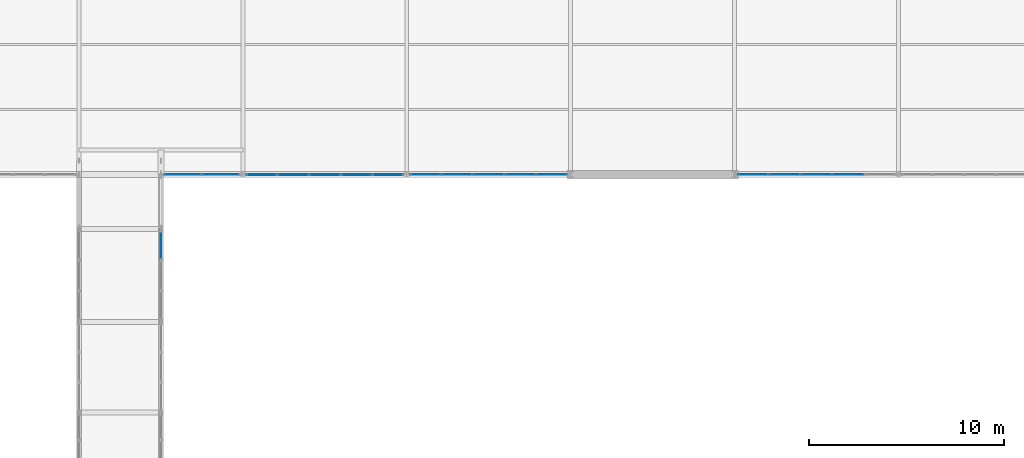
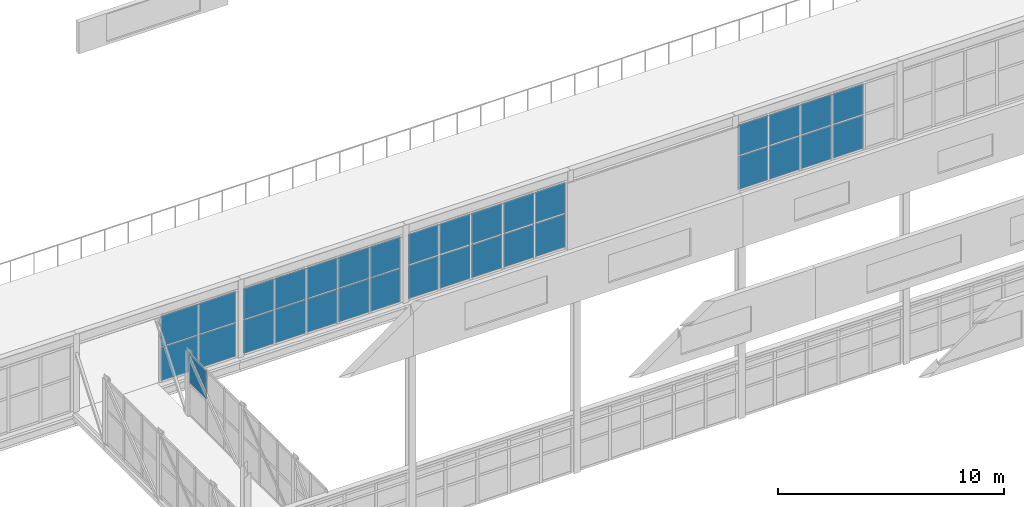
# One storey, part 184 of 218: 33 plates, 5 elements without a shape of their own.
"""IFC4 building model written with IfcOpenShell, lengths in metres."""

from ifc_helpers import new_model, si_unit, direction, frame, origin, origin_2d, place, context, subcontext, project, spatial, rectangle, extrude, material, layer, layer_set, type_object, element, aggregate, save


model = new_model("IFC4")

# Units and contexts
model_context = context("Model", 3, precision=1e-05, world=origin(), true_north=direction((0.0, 1.0)))
body_context = subcontext(model_context, "Body", "Model", "MODEL_VIEW")
ifc_project = project(units=[si_unit("LENGTHUNIT", "METRE"), si_unit("AREAUNIT", "SQUARE_METRE"), si_unit("VOLUMEUNIT", "CUBIC_METRE"), si_unit("PLANEANGLEUNIT", "RADIAN"), si_unit("MASSUNIT", "GRAM", prefix="KILO")], contexts=[model_context])

# Site, building, storey
site_placement = place(None, origin())
site = spatial("IfcSite", under=ifc_project, at=site_placement, CompositionType="ELEMENT")
building_placement = place(site_placement, origin())
building = spatial("IfcBuilding", under=site, at=building_placement, Name="Kazenagashi Tramway Depot", CompositionType="ELEMENT")
storey_placement = place(building_placement, frame((0.0, 0.0, 6.0)))
storey = spatial("IfcBuildingStorey", under=building, at=storey_placement, Name="L02", CompositionType="ELEMENT", Elevation=6.0)

# Curtain wall, plates
ifc_material_1 = material(Name="Anodised Aluminium and Low-E Glazing", Category="aluminium")
curtain_wall_type_1 = type_object("IfcCurtainWallType", Name="CW-11", PredefinedType="USERDEFINED", material=ifc_material_1)
curtain_wall_1_placement = place(storey_placement, origin())
curtain_wall_1 = element("IfcCurtainWall", 1, at=curtain_wall_1_placement, inside=storey, type_object=curtain_wall_type_1, Name="Industrial Glazed Screen CW-11 CW-0033", ObjectType="GLAZED SCREEN", PredefinedType="USERDEFINED")
ifc_material_2 = material(Name="Tempered Laminated Low-E Glass", Category="glass")
ifc_layer_1 = layer(ifc_material_2, 0.016)
ifc_layer_set_1 = layer_set([ifc_layer_1], Name="Tempered Laminated Low-E Glass")
plate_type_1 = type_object("IfcPlateType", Name="GL-01", PredefinedType="CURTAIN_PANEL", material=ifc_layer_set_1)
plate_1_placement = place(storey_placement, frame((104.567, 70.0, 0.06), z_axis=(0.0, 0.0, 1.0), x_axis=(1.0, 0.0, 0.0)))
plate_1 = element("IfcPlate", 2, at=plate_1_placement, type_object=plate_type_1, Name="CW-11 panel 1.1", PredefinedType="CURTAIN_PANEL", context=body_context, shape_type="SweptSolid", body=[
    extrude(rectangle(XDim=1.534, YDim=0.016, at=origin_2d()), origin(), (0.0, 0.0, 1.0), 1.788),
])
plate_2_placement = place(storey_placement, frame((104.567, 70.0, 1.908), z_axis=(0.0, 0.0, 1.0), x_axis=(1.0, 0.0, 0.0)))
plate_2 = element("IfcPlate", 3, at=plate_2_placement, type_object=plate_type_1, Name="CW-11 panel 1.2", PredefinedType="CURTAIN_PANEL", context=body_context, shape_type="SweptSolid", body=[
    extrude(rectangle(XDim=1.534, YDim=0.016, at=origin_2d()), origin(), (0.0, 0.0, 1.0), 1.644),
])
plate_3_placement = place(storey_placement, frame((106.176, 70.0, 0.06), z_axis=(0.0, 0.0, 1.0), x_axis=(1.0, 0.0, 0.0)))
plate_3 = element("IfcPlate", 4, at=plate_3_placement, type_object=plate_type_1, Name="CW-11 panel 2.1", PredefinedType="CURTAIN_PANEL", context=body_context, shape_type="SweptSolid", body=[
    extrude(rectangle(XDim=1.564, YDim=0.016, at=origin_2d()), origin(), (0.0, 0.0, 1.0), 1.788),
])
plate_4_placement = place(storey_placement, frame((106.176, 70.0, 1.908), z_axis=(0.0, 0.0, 1.0), x_axis=(1.0, 0.0, 0.0)))
plate_4 = element("IfcPlate", 5, at=plate_4_placement, type_object=plate_type_1, Name="CW-11 panel 2.2", PredefinedType="CURTAIN_PANEL", context=body_context, shape_type="SweptSolid", body=[
    extrude(rectangle(XDim=1.564, YDim=0.016, at=origin_2d()), origin(), (0.0, 0.0, 1.0), 1.644),
])
plate_5_placement = place(storey_placement, frame((107.8, 70.0, 0.06), z_axis=(0.0, 0.0, 1.0), x_axis=(1.0, 0.0, 0.0)))
plate_5 = element("IfcPlate", 6, at=plate_5_placement, type_object=plate_type_1, Name="CW-11 panel 3.1", PredefinedType="CURTAIN_PANEL", context=body_context, shape_type="SweptSolid", body=[
    extrude(rectangle(XDim=1.564, YDim=0.016, at=origin_2d()), origin(), (0.0, 0.0, 1.0), 1.788),
])
plate_6_placement = place(storey_placement, frame((107.8, 70.0, 1.908), z_axis=(0.0, 0.0, 1.0), x_axis=(1.0, 0.0, 0.0)))
plate_6 = element("IfcPlate", 7, at=plate_6_placement, type_object=plate_type_1, Name="CW-11 panel 3.2", PredefinedType="CURTAIN_PANEL", context=body_context, shape_type="SweptSolid", body=[
    extrude(rectangle(XDim=1.564, YDim=0.016, at=origin_2d()), origin(), (0.0, 0.0, 1.0), 1.644),
])
plate_7_placement = place(storey_placement, frame((109.424, 70.0, 0.06), z_axis=(0.0, 0.0, 1.0), x_axis=(1.0, 0.0, 0.0)))
plate_7 = element("IfcPlate", 8, at=plate_7_placement, type_object=plate_type_1, Name="CW-11 panel 4.1", PredefinedType="CURTAIN_PANEL", context=body_context, shape_type="SweptSolid", body=[
    extrude(rectangle(XDim=1.564, YDim=0.016, at=origin_2d()), origin(), (0.0, 0.0, 1.0), 1.788),
])
plate_8_placement = place(storey_placement, frame((109.424, 70.0, 1.908), z_axis=(0.0, 0.0, 1.0), x_axis=(1.0, 0.0, 0.0)))
plate_8 = element("IfcPlate", 9, at=plate_8_placement, type_object=plate_type_1, Name="CW-11 panel 4.2", PredefinedType="CURTAIN_PANEL", context=body_context, shape_type="SweptSolid", body=[
    extrude(rectangle(XDim=1.564, YDim=0.016, at=origin_2d()), origin(), (0.0, 0.0, 1.0), 1.644),
])
plate_9_placement = place(storey_placement, frame((111.033, 70.0, 0.06), z_axis=(0.0, 0.0, 1.0), x_axis=(1.0, 0.0, 0.0)))
plate_9 = element("IfcPlate", 10, at=plate_9_placement, type_object=plate_type_1, Name="CW-11 panel 5.1", PredefinedType="CURTAIN_PANEL", context=body_context, shape_type="SweptSolid", body=[
    extrude(rectangle(XDim=1.534, YDim=0.016, at=origin_2d()), origin(), (0.0, 0.0, 1.0), 1.788),
])
plate_10_placement = place(storey_placement, frame((111.033, 70.0, 1.908), z_axis=(0.0, 0.0, 1.0), x_axis=(1.0, 0.0, 0.0)))
plate_10 = element("IfcPlate", 11, at=plate_10_placement, type_object=plate_type_1, Name="CW-11 panel 5.2", PredefinedType="CURTAIN_PANEL", context=body_context, shape_type="SweptSolid", body=[
    extrude(rectangle(XDim=1.534, YDim=0.016, at=origin_2d()), origin(), (0.0, 0.0, 1.0), 1.644),
])
aggregate(curtain_wall_1, [plate_1, plate_2, plate_3, plate_4, plate_5, plate_6, plate_7, plate_8, plate_9, plate_10])

curtain_wall_2_placement = place(storey_placement, origin())
curtain_wall_2 = element("IfcCurtainWall", 12, at=curtain_wall_2_placement, inside=storey, type_object=curtain_wall_type_1, Name="Industrial Glazed Screen CW-11 CW-0036", ObjectType="GLAZED SCREEN", PredefinedType="USERDEFINED")
ifc_layer_2 = layer(ifc_material_2, 0.022)
ifc_layer_set_2 = layer_set([ifc_layer_2], Name="Tempered Laminated Low-E Glass")
plate_type_2 = type_object("IfcPlateType", Name="GL-04", PredefinedType="CURTAIN_PANEL", material=ifc_layer_set_2)
plate_11_placement = place(storey_placement, frame((121.367, 70.0, 0.06), z_axis=(0.0, 0.0, 1.0), x_axis=(1.0, 0.0, 0.0)))
plate_11 = element("IfcPlate", 13, at=plate_11_placement, type_object=plate_type_2, Name="CW-11 panel 1.1", PredefinedType="CURTAIN_PANEL", context=body_context, shape_type="SweptSolid", body=[
    extrude(rectangle(XDim=1.534, YDim=0.022, at=origin_2d()), origin(), (0.0, 0.0, 1.0), 1.788),
])
plate_12_placement = place(storey_placement, frame((121.367, 70.0, 1.908), z_axis=(0.0, 0.0, 1.0), x_axis=(1.0, 0.0, 0.0)))
plate_12 = element("IfcPlate", 14, at=plate_12_placement, type_object=plate_type_2, Name="CW-11 panel 1.2", PredefinedType="CURTAIN_PANEL", context=body_context, shape_type="SweptSolid", body=[
    extrude(rectangle(XDim=1.534, YDim=0.022, at=origin_2d()), origin(), (0.0, 0.0, 1.0), 1.644),
])
plate_13_placement = place(storey_placement, frame((122.976, 70.0, 0.06), z_axis=(0.0, 0.0, 1.0), x_axis=(1.0, 0.0, 0.0)))
plate_13 = element("IfcPlate", 15, at=plate_13_placement, type_object=plate_type_2, Name="CW-11 panel 2.1", PredefinedType="CURTAIN_PANEL", context=body_context, shape_type="SweptSolid", body=[
    extrude(rectangle(XDim=1.564, YDim=0.022, at=origin_2d()), origin(), (0.0, 0.0, 1.0), 1.788),
])
plate_14_placement = place(storey_placement, frame((122.976, 70.0, 1.908), z_axis=(0.0, 0.0, 1.0), x_axis=(1.0, 0.0, 0.0)))
plate_14 = element("IfcPlate", 16, at=plate_14_placement, type_object=plate_type_2, Name="CW-11 panel 2.2", PredefinedType="CURTAIN_PANEL", context=body_context, shape_type="SweptSolid", body=[
    extrude(rectangle(XDim=1.564, YDim=0.022, at=origin_2d()), origin(), (0.0, 0.0, 1.0), 1.644),
])
plate_15_placement = place(storey_placement, frame((124.6, 70.0, 0.06), z_axis=(0.0, 0.0, 1.0), x_axis=(1.0, 0.0, 0.0)))
plate_15 = element("IfcPlate", 17, at=plate_15_placement, type_object=plate_type_2, Name="CW-11 panel 3.1", PredefinedType="CURTAIN_PANEL", context=body_context, shape_type="SweptSolid", body=[
    extrude(rectangle(XDim=1.564, YDim=0.022, at=origin_2d()), origin(), (0.0, 0.0, 1.0), 1.788),
])
plate_16_placement = place(storey_placement, frame((124.6, 70.0, 1.908), z_axis=(0.0, 0.0, 1.0), x_axis=(1.0, 0.0, 0.0)))
plate_16 = element("IfcPlate", 18, at=plate_16_placement, type_object=plate_type_2, Name="CW-11 panel 3.2", PredefinedType="CURTAIN_PANEL", context=body_context, shape_type="SweptSolid", body=[
    extrude(rectangle(XDim=1.564, YDim=0.022, at=origin_2d()), origin(), (0.0, 0.0, 1.0), 1.644),
])
plate_17_placement = place(storey_placement, frame((126.224, 70.0, 0.06), z_axis=(0.0, 0.0, 1.0), x_axis=(1.0, 0.0, 0.0)))
plate_17 = element("IfcPlate", 19, at=plate_17_placement, type_object=plate_type_2, Name="CW-11 panel 4.1", PredefinedType="CURTAIN_PANEL", context=body_context, shape_type="SweptSolid", body=[
    extrude(rectangle(XDim=1.564, YDim=0.022, at=origin_2d()), origin(), (0.0, 0.0, 1.0), 1.788),
])
plate_18_placement = place(storey_placement, frame((126.224, 70.0, 1.908), z_axis=(0.0, 0.0, 1.0), x_axis=(1.0, 0.0, 0.0)))
plate_18 = element("IfcPlate", 20, at=plate_18_placement, type_object=plate_type_2, Name="CW-11 panel 4.2", PredefinedType="CURTAIN_PANEL", context=body_context, shape_type="SweptSolid", body=[
    extrude(rectangle(XDim=1.564, YDim=0.022, at=origin_2d()), origin(), (0.0, 0.0, 1.0), 1.644),
])
aggregate(curtain_wall_2, [plate_11, plate_12, plate_13, plate_14, plate_15, plate_16, plate_17, plate_18])

# Curtain wall, plate
curtain_wall_type_2 = type_object("IfcCurtainWallType", Name="CW-29", PredefinedType="USERDEFINED", material=ifc_material_1)
curtain_wall_3_placement = place(storey_placement, origin())
curtain_wall_3 = element("IfcCurtainWall", 21, at=curtain_wall_3_placement, inside=storey, type_object=curtain_wall_type_2, Name="Industrial Glazed Screen CW-29 CW-0156", ObjectType="GLAZED SCREEN", PredefinedType="USERDEFINED")
ifc_layer_3 = layer(ifc_material_2, 0.038)
ifc_layer_set_3 = layer_set([ifc_layer_3], Name="Tempered Laminated Low-E Glass")
plate_type_3 = type_object("IfcPlateType", Name="GL-12", PredefinedType="CURTAIN_PANEL", material=ifc_layer_set_3)
plate_19_placement = place(storey_placement, frame((91.0, 66.393333, 1.772), z_axis=(0.0, 0.0, 1.0), x_axis=(0.0, 1.0, 0.0)))
plate_19 = element("IfcPlate", 22, at=plate_19_placement, type_object=plate_type_3, Name="CW-29 panel 3.2", PredefinedType="CURTAIN_PANEL", context=body_context, shape_type="SweptSolid", body=[
    extrude(rectangle(XDim=1.493333, YDim=0.038, at=origin_2d()), origin(), (0.0, 0.0, 1.0), 1.518),
])
aggregate(curtain_wall_3, [plate_19])

# Curtain wall, plates
curtain_wall_type_3 = type_object("IfcCurtainWallType", Name="CW-14", PredefinedType="USERDEFINED", material=ifc_material_1)
curtain_wall_4_placement = place(storey_placement, origin())
curtain_wall_4 = element("IfcCurtainWall", 23, at=curtain_wall_4_placement, inside=storey, type_object=curtain_wall_type_3, Name="Industrial Glazed Screen CW-14 CW-0029", ObjectType="GLAZED SCREEN", PredefinedType="USERDEFINED")
ifc_layer_4 = layer(ifc_material_2, 0.04)
ifc_layer_set_4 = layer_set([ifc_layer_4], Name="Tempered Laminated Low-E Glass")
plate_type_4 = type_object("IfcPlateType", Name="GL-13", PredefinedType="CURTAIN_PANEL", material=ifc_layer_set_4)
plate_20_placement = place(storey_placement, frame((92.12375, 70.0, 0.06), z_axis=(0.0, 0.0, 1.0), x_axis=(1.0, 0.0, 0.0)))
plate_20 = element("IfcPlate", 24, at=plate_20_placement, type_object=plate_type_4, Name="CW-14 panel 1.1", PredefinedType="CURTAIN_PANEL", context=body_context, shape_type="SweptSolid", body=[
    extrude(rectangle(XDim=1.8775, YDim=0.04, at=origin_2d()), origin(), (0.0, 0.0, 1.0), 1.788),
])
plate_21_placement = place(storey_placement, frame((92.12375, 70.0, 1.908), z_axis=(0.0, 0.0, 1.0), x_axis=(1.0, 0.0, 0.0)))
plate_21 = element("IfcPlate", 25, at=plate_21_placement, type_object=plate_type_4, Name="CW-14 panel 1.2", PredefinedType="CURTAIN_PANEL", context=body_context, shape_type="SweptSolid", body=[
    extrude(rectangle(XDim=1.8775, YDim=0.04, at=origin_2d()), origin(), (0.0, 0.0, 1.0), 1.644),
])
plate_22_placement = place(storey_placement, frame((94.06125, 70.0, 0.06), z_axis=(0.0, 0.0, 1.0), x_axis=(1.0, 0.0, 0.0)))
plate_22 = element("IfcPlate", 26, at=plate_22_placement, type_object=plate_type_4, Name="CW-14 panel 2.1", PredefinedType="CURTAIN_PANEL", context=body_context, shape_type="SweptSolid", body=[
    extrude(rectangle(XDim=1.8775, YDim=0.04, at=origin_2d()), origin(), (0.0, 0.0, 1.0), 1.788),
])
plate_23_placement = place(storey_placement, frame((94.06125, 70.0, 1.908), z_axis=(0.0, 0.0, 1.0), x_axis=(1.0, 0.0, 0.0)))
plate_23 = element("IfcPlate", 27, at=plate_23_placement, type_object=plate_type_4, Name="CW-14 panel 2.2", PredefinedType="CURTAIN_PANEL", context=body_context, shape_type="SweptSolid", body=[
    extrude(rectangle(XDim=1.8775, YDim=0.04, at=origin_2d()), origin(), (0.0, 0.0, 1.0), 1.644),
])
aggregate(curtain_wall_4, [plate_20, plate_21, plate_22, plate_23])

curtain_wall_5_placement = place(storey_placement, origin())
curtain_wall_5 = element("IfcCurtainWall", 28, at=curtain_wall_5_placement, inside=storey, type_object=curtain_wall_type_1, Name="Industrial Glazed Screen CW-11 CW-0032", ObjectType="GLAZED SCREEN", PredefinedType="USERDEFINED")
ifc_layer_5 = layer(ifc_material_2, 0.046)
ifc_layer_set_5 = layer_set([ifc_layer_5], Name="Tempered Laminated Low-E Glass")
plate_type_5 = type_object("IfcPlateType", Name="GL-16", PredefinedType="CURTAIN_PANEL", material=ifc_layer_set_5)
plate_24_placement = place(storey_placement, frame((96.167, 70.0, 0.06), z_axis=(0.0, 0.0, 1.0), x_axis=(1.0, 0.0, 0.0)))
plate_24 = element("IfcPlate", 29, at=plate_24_placement, type_object=plate_type_5, Name="CW-11 panel 1.1", PredefinedType="CURTAIN_PANEL", context=body_context, shape_type="SweptSolid", body=[
    extrude(rectangle(XDim=1.534, YDim=0.046, at=origin_2d()), origin(), (0.0, 0.0, 1.0), 1.788),
])
plate_25_placement = place(storey_placement, frame((96.167, 70.0, 1.908), z_axis=(0.0, 0.0, 1.0), x_axis=(1.0, 0.0, 0.0)))
plate_25 = element("IfcPlate", 30, at=plate_25_placement, type_object=plate_type_5, Name="CW-11 panel 1.2", PredefinedType="CURTAIN_PANEL", context=body_context, shape_type="SweptSolid", body=[
    extrude(rectangle(XDim=1.534, YDim=0.046, at=origin_2d()), origin(), (0.0, 0.0, 1.0), 1.644),
])
plate_26_placement = place(storey_placement, frame((97.776, 70.0, 0.06), z_axis=(0.0, 0.0, 1.0), x_axis=(1.0, 0.0, 0.0)))
plate_26 = element("IfcPlate", 31, at=plate_26_placement, type_object=plate_type_5, Name="CW-11 panel 2.1", PredefinedType="CURTAIN_PANEL", context=body_context, shape_type="SweptSolid", body=[
    extrude(rectangle(XDim=1.564, YDim=0.046, at=origin_2d()), origin(), (0.0, 0.0, 1.0), 1.788),
])
plate_27_placement = place(storey_placement, frame((97.776, 70.0, 1.908), z_axis=(0.0, 0.0, 1.0), x_axis=(1.0, 0.0, 0.0)))
plate_27 = element("IfcPlate", 32, at=plate_27_placement, type_object=plate_type_5, Name="CW-11 panel 2.2", PredefinedType="CURTAIN_PANEL", context=body_context, shape_type="SweptSolid", body=[
    extrude(rectangle(XDim=1.564, YDim=0.046, at=origin_2d()), origin(), (0.0, 0.0, 1.0), 1.644),
])
plate_28_placement = place(storey_placement, frame((99.4, 70.0, 0.06), z_axis=(0.0, 0.0, 1.0), x_axis=(1.0, 0.0, 0.0)))
plate_28 = element("IfcPlate", 33, at=plate_28_placement, type_object=plate_type_5, Name="CW-11 panel 3.1", PredefinedType="CURTAIN_PANEL", context=body_context, shape_type="SweptSolid", body=[
    extrude(rectangle(XDim=1.564, YDim=0.046, at=origin_2d()), origin(), (0.0, 0.0, 1.0), 1.788),
])
plate_29_placement = place(storey_placement, frame((99.4, 70.0, 1.908), z_axis=(0.0, 0.0, 1.0), x_axis=(1.0, 0.0, 0.0)))
plate_29 = element("IfcPlate", 34, at=plate_29_placement, type_object=plate_type_5, Name="CW-11 panel 3.2", PredefinedType="CURTAIN_PANEL", context=body_context, shape_type="SweptSolid", body=[
    extrude(rectangle(XDim=1.564, YDim=0.046, at=origin_2d()), origin(), (0.0, 0.0, 1.0), 1.644),
])
plate_30_placement = place(storey_placement, frame((101.024, 70.0, 0.06), z_axis=(0.0, 0.0, 1.0), x_axis=(1.0, 0.0, 0.0)))
plate_30 = element("IfcPlate", 35, at=plate_30_placement, type_object=plate_type_5, Name="CW-11 panel 4.1", PredefinedType="CURTAIN_PANEL", context=body_context, shape_type="SweptSolid", body=[
    extrude(rectangle(XDim=1.564, YDim=0.046, at=origin_2d()), origin(), (0.0, 0.0, 1.0), 1.788),
])
plate_31_placement = place(storey_placement, frame((101.024, 70.0, 1.908), z_axis=(0.0, 0.0, 1.0), x_axis=(1.0, 0.0, 0.0)))
plate_31 = element("IfcPlate", 36, at=plate_31_placement, type_object=plate_type_5, Name="CW-11 panel 4.2", PredefinedType="CURTAIN_PANEL", context=body_context, shape_type="SweptSolid", body=[
    extrude(rectangle(XDim=1.564, YDim=0.046, at=origin_2d()), origin(), (0.0, 0.0, 1.0), 1.644),
])
plate_32_placement = place(storey_placement, frame((102.633, 70.0, 0.06), z_axis=(0.0, 0.0, 1.0), x_axis=(1.0, 0.0, 0.0)))
plate_32 = element("IfcPlate", 37, at=plate_32_placement, type_object=plate_type_5, Name="CW-11 panel 5.1", PredefinedType="CURTAIN_PANEL", context=body_context, shape_type="SweptSolid", body=[
    extrude(rectangle(XDim=1.534, YDim=0.046, at=origin_2d()), origin(), (0.0, 0.0, 1.0), 1.788),
])
plate_33_placement = place(storey_placement, frame((102.633, 70.0, 1.908), z_axis=(0.0, 0.0, 1.0), x_axis=(1.0, 0.0, 0.0)))
plate_33 = element("IfcPlate", 38, at=plate_33_placement, type_object=plate_type_5, Name="CW-11 panel 5.2", PredefinedType="CURTAIN_PANEL", context=body_context, shape_type="SweptSolid", body=[
    extrude(rectangle(XDim=1.534, YDim=0.046, at=origin_2d()), origin(), (0.0, 0.0, 1.0), 1.644),
])
aggregate(curtain_wall_5, [plate_24, plate_25, plate_26, plate_27, plate_28, plate_29, plate_30, plate_31, plate_32, plate_33])

save(model, "model.ifc")
